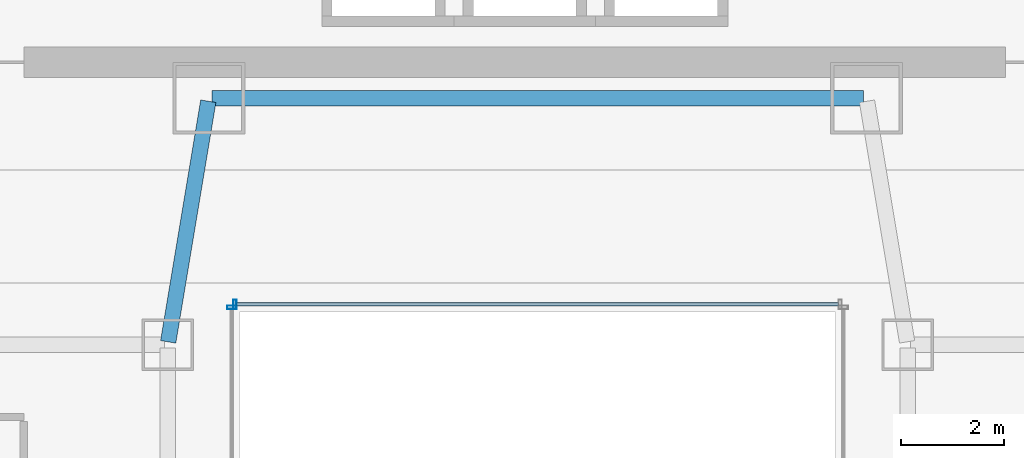
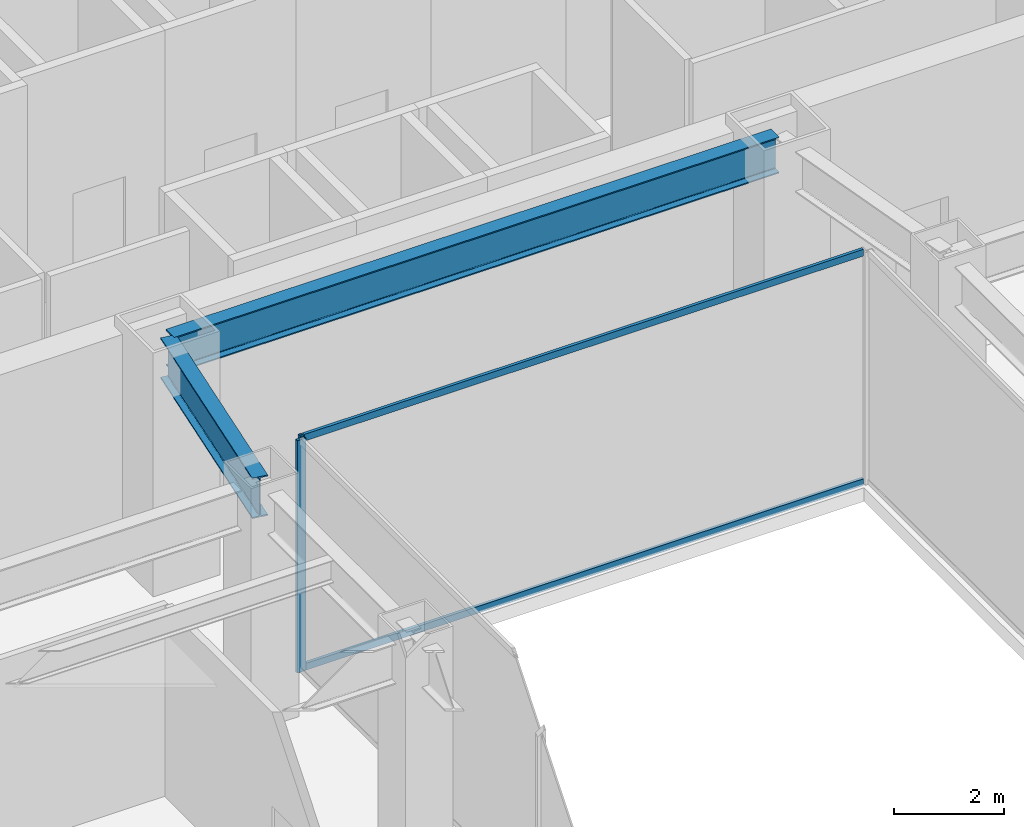
# One storey, part 24 of 53: 4 members, 2 beams, 2 elements without a shape of their own.
"""IFC4 building model written with IfcOpenShell, lengths in metres."""

import ifcopenshell
import ifcopenshell.guid

model = None  # the IFC model being written
_history = None  # IfcOwnerHistory: only IFC2X3 demands one
_inside = {}  # id of a spatial element -> (the spatial element, [elements in it])
_under = {}  # id of a project, library or spatial element -> (it, [spatial elements below it])
_declared = {}  # id of a project -> (the project, [libraries it declares])
_typed = {}  # id of a type object -> (the type object, [elements of that type])
_made_of = {}  # id of a material, layer set ... -> (it, [elements and type objects made of it])


def new_model(schema):
    """Start an empty IFC model of exactly this schema.

    Asked for "IFC4X3", IfcOpenShell would pick the latest addendum, in which some entities
    have other attributes; the version numbers below select the first issue.
    IFC2X3 requires an IfcOwnerHistory on every rooted entity: one is made here for all.
    """
    global model, _history
    if schema == "IFC4X3":
        model = ifcopenshell.file(schema_version=(4, 3, 0, 0))
    else:
        model = ifcopenshell.file(schema=schema)
    _inside.clear()
    _under.clear()
    _declared.clear()
    _typed.clear()
    _made_of.clear()
    _history = None
    if model.schema == "IFC2X3":
        org = make("IfcOrganization", Name="unknown")
        user = make(
            "IfcPersonAndOrganization",
            ThePerson=make("IfcPerson", FamilyName="unknown"),
            TheOrganization=org,
        )
        app = make(
            "IfcApplication",
            ApplicationDeveloper=org,
            Version="unknown",
            ApplicationFullName="unknown",
            ApplicationIdentifier="unknown",
        )
        _history = make(
            "IfcOwnerHistory",
            OwningUser=user,
            OwningApplication=app,
            ChangeAction="ADDED",
            CreationDate=0,
        )
    return model


def make(cls, **values):
    """One entity of the class cls with the attributes given. An attribute that is None is left unset."""
    return model.create_entity(
        cls, **{name: value for name, value in values.items() if value is not None}
    )


def rooted(cls, **values):
    """An entity with a GlobalId (a new one), such as an element, a storey or a relation."""
    return make(cls, GlobalId=ifcopenshell.guid.new(), OwnerHistory=_history, **values)


def si_unit(unit_type, name, prefix=None):
    """IfcSIUnit, for example si_unit("LENGTHUNIT", "METRE", prefix="MILLI")."""
    return make("IfcSIUnit", UnitType=unit_type, Prefix=prefix, Name=name)


def assignment(units):
    """IfcUnitAssignment: the units of a project."""
    return None if units is None else make("IfcUnitAssignment", Units=units)


def point(xyz):
    """IfcCartesianPoint."""
    return None if xyz is None else make("IfcCartesianPoint", Coordinates=xyz)


def direction(xyz):
    """IfcDirection."""
    return None if xyz is None else make("IfcDirection", DirectionRatios=xyz)


def frame(location, z_axis=None, x_axis=None):
    """IfcAxis2Placement3D, a coordinate frame: its origin and axes. An axis left out is left unset."""
    return make(
        "IfcAxis2Placement3D",
        Location=point(location),
        Axis=direction(z_axis),
        RefDirection=direction(x_axis),
    )


def frame_2d(location, x_axis=None):
    """IfcAxis2Placement2D, a coordinate frame in the plane: its origin and x axis."""
    return make(
        "IfcAxis2Placement2D", Location=point(location), RefDirection=direction(x_axis)
    )


def origin():
    """The frame at (0, 0, 0) with its axes left unset."""
    return frame((0.0, 0.0, 0.0))


def origin_2d():
    """The frame at (0, 0) in the plane with its x axis left unset."""
    return frame_2d((0.0, 0.0))


def place(relative_to, where):
    """IfcLocalPlacement: puts the frame where relative to a parent placement (None: the world)."""
    return make(
        "IfcLocalPlacement", PlacementRelTo=relative_to, RelativePlacement=where
    )


def context(
    kind, dimensions, precision=None, world=None, true_north=None, identifier=None
):
    """IfcGeometricRepresentationContext, for example the 3D "Model" context."""
    return make(
        "IfcGeometricRepresentationContext",
        ContextIdentifier=identifier,
        ContextType=kind,
        CoordinateSpaceDimension=dimensions,
        Precision=precision,
        WorldCoordinateSystem=world,
        TrueNorth=true_north,
    )


def subcontext(parent, identifier, kind, view, scale=None):
    """IfcGeometricRepresentationSubContext, for example "Body" below "Model"."""
    return make(
        "IfcGeometricRepresentationSubContext",
        ContextIdentifier=identifier,
        ContextType=kind,
        ParentContext=parent,
        TargetScale=scale,
        TargetView=view,
    )


def project(units=None, contexts=None):
    """IfcProject with its units and contexts."""
    return rooted(
        "IfcProject",
        Name="project",
        RepresentationContexts=contexts,
        UnitsInContext=assignment(units),
    )


def spatial(cls, under=None, at=None, **own):
    """A site, building, storey or space (cls), placed at a placement, below another one or the project."""
    s = rooted(cls, ObjectPlacement=at, **own)
    if under is not None:
        _under.setdefault(under.id(), (under, []))[1].append(s)
    return s


def profile(cls, at=None, kind="AREA", **sizes):
    """A parametric profile (cls). Its sizes go by their IFC names, for example OverallWidth=200.0."""
    return make(cls, ProfileType=kind, Position=at, **sizes)


def hollow_rectangle(**sizes):
    """IfcRectangleHollowProfileDef."""
    return profile("IfcRectangleHollowProfileDef", **sizes)


def i_section(**sizes):
    """IfcIShapeProfileDef."""
    return profile("IfcIShapeProfileDef", **sizes)


def extrude(swept, where, along, depth):
    """IfcExtrudedAreaSolid: the profile swept, set in the frame where, extruded along a direction by depth."""
    return make(
        "IfcExtrudedAreaSolid",
        SweptArea=swept,
        Position=where,
        ExtrudedDirection=direction(along),
        Depth=depth,
    )


def shape(context_of_items, identifier, shape_type, items):
    """IfcShapeRepresentation: the items that make up one representation, for example the "Body"."""
    return make(
        "IfcShapeRepresentation",
        ContextOfItems=context_of_items,
        RepresentationIdentifier=identifier,
        RepresentationType=shape_type,
        Items=items,
    )


def material(Name=None, Category=None):
    """IfcMaterial."""
    return make("IfcMaterial", Name=Name, Category=Category)


def material_profile(
    of_material, cross_section, Name=None, Category=None, Priority=None
):
    """IfcMaterialProfile: a cross section and its material."""
    return make(
        "IfcMaterialProfile",
        Name=Name,
        Material=of_material,
        Profile=cross_section,
        Priority=Priority,
        Category=Category,
    )


def profile_set(profiles, Name=None, composite=None):
    """IfcMaterialProfileSet."""
    return make(
        "IfcMaterialProfileSet",
        Name=Name,
        MaterialProfiles=profiles,
        CompositeProfile=composite,
    )


def made_of(thing, what):
    """Note that an element or type object is made of a material, layer set ...; save() writes the relation."""
    if what is not None:
        _made_of.setdefault(what.id(), (what, []))[1].append(thing)
    return thing


def type_object(cls, material=None, **own):
    """A type object (cls), such as IfcWallType, which elements share."""
    return made_of(rooted(cls, **own), material)


def element(
    cls,
    number,
    at=None,
    inside=None,
    cuts=None,
    type_object=None,
    material=None,
    context=None,
    identifier="Body",
    shape_type=None,
    held_by="IfcProductDefinitionShape",
    body=None,
    shapes=None,
    **own,
):
    """One element of the class cls, such as IfcWall. Its Tag is "e" and its number.

    at: its placement. inside: the storey or other place that contains it. cuts: it is an
    opening in that element (IfcRelVoidsElement). A single representation is given by context,
    identifier, shape_type and body (its items); several are given by shapes. held_by: the class
    of the entity that holds the representations. save() writes the other relations.
    """
    e = rooted(cls, Tag="e%d" % number, ObjectPlacement=at, **own)
    if body is not None:
        shapes = [shape(context, identifier, shape_type, body)]
    if shapes is not None:
        e.Representation = make(held_by, Representations=shapes)
    if inside is not None:
        _inside.setdefault(inside.id(), (inside, []))[1].append(e)
    if cuts is not None:
        rooted(
            "IfcRelVoidsElement", RelatingBuildingElement=cuts, RelatedOpeningElement=e
        )
    if type_object is not None:
        _typed.setdefault(type_object.id(), (type_object, []))[1].append(e)
    return made_of(e, material)


def aggregate(whole, parts):
    """IfcRelAggregates: a whole, such as a stair, and the parts it consists of."""
    return rooted("IfcRelAggregates", RelatingObject=whole, RelatedObjects=parts)


def save(model, path):
    """Write the relations noted so far, then the file.

    IfcRelAggregates (storeys below a building ...), IfcRelContainedInSpatialStructure (elements
    in a storey), IfcRelDefinesByType, IfcRelAssociatesMaterial and IfcRelDeclares: one each for
    every whole, place, type object, material and project.
    """
    for whole, parts in _under.values():
        aggregate(whole, parts)
    for where, things in _inside.values():
        rooted(
            "IfcRelContainedInSpatialStructure",
            RelatedElements=things,
            RelatingStructure=where,
        )
    for kind, things in _typed.values():
        rooted("IfcRelDefinesByType", RelatedObjects=things, RelatingType=kind)
    for what, things in _made_of.values():
        rooted("IfcRelAssociatesMaterial", RelatedObjects=things, RelatingMaterial=what)
    for by, libraries in _declared.values():
        rooted("IfcRelDeclares", RelatingContext=by, RelatedDefinitions=libraries)
    model.write(path)


model = new_model("IFC4")

# Units and contexts
model_context = context("Model", 3, precision=1e-05, world=origin(), true_north=direction((0.0, 1.0)))
body_context = subcontext(model_context, "Body", "Model", "MODEL_VIEW")
ifc_project = project(units=[si_unit("LENGTHUNIT", "METRE"), si_unit("AREAUNIT", "SQUARE_METRE"), si_unit("VOLUMEUNIT", "CUBIC_METRE"), si_unit("PLANEANGLEUNIT", "RADIAN"), si_unit("MASSUNIT", "GRAM", prefix="KILO")], contexts=[model_context])

# Site, building, storey
site_placement = place(None, origin())
site = spatial("IfcSite", under=ifc_project, at=site_placement, CompositionType="ELEMENT")
building_placement = place(site_placement, origin())
building = spatial("IfcBuilding", under=site, at=building_placement, Name="Saevonmaru Cultural Tower", CompositionType="ELEMENT")
storey_placement = place(building_placement, frame((0.0, 0.0, 22.199951171875)))
storey = spatial("IfcBuildingStorey", under=building, at=storey_placement, Name="L04", CompositionType="ELEMENT", Elevation=22.199951171875)

# Beams
ifc_material_1 = material(Name="Steel SM420", Category="steel")
ifc_material_profile_1 = material_profile(ifc_material_1, i_section(OverallWidth=0.300048828125, OverallDepth=0.800048828125, WebThickness=0.013916015625, FlangeThickness=0.02587890625, FilletRadius=0.028076171875, at=origin_2d()), Name="H-800x300x14x26")
ifc_profile_set_1 = profile_set([ifc_material_profile_1], Name="Steel SM420")
beam_type_1 = type_object("IfcBeamType", Name="BM-G-H800", PredefinedType="BEAM", material=ifc_profile_set_1)
beam_1_placement = place(storey_placement, frame((23.659912109375, 42.39990234375, 4.75), z_axis=(1.0, 0.0, 0.0), x_axis=(0.0, 1.0, 0.0)))
element("IfcBeam", 1, at=beam_1_placement, inside=storey, type_object=beam_type_1, Name="L04 Core South Girder 3", PredefinedType="BEAM", context=body_context, shape_type="SweptSolid", body=[
    extrude(i_section(OverallWidth=0.300048828125, OverallDepth=0.800048828125, WebThickness=0.013916015625, FlangeThickness=0.02587890625, FilletRadius=0.028076171875, at=origin_2d()), origin(), (0.0, 0.0, 1.0), 12.68017578125),
])
ifc_material_profile_2 = material_profile(ifc_material_1, i_section(OverallWidth=0.300048828125, OverallDepth=0.89990234375, WebThickness=0.01611328125, FlangeThickness=0.028076171875, FilletRadius=0.028076171875, at=origin_2d()), Name="H-900x300x16x28")
ifc_profile_set_2 = profile_set([ifc_material_profile_2], Name="Steel SM420")
beam_type_2 = type_object("IfcBeamType", Name="BM-G-H900", PredefinedType="BEAM", material=ifc_profile_set_2)
beam_2_placement = place(storey_placement, frame((22.809814453125, 37.6591796875, 4.699951171875), z_axis=(0.164398987305, 0.986393923832, 0.0), x_axis=(-0.986393923832, 0.164398987305, 0.0)))
element("IfcBeam", 2, at=beam_2_placement, inside=storey, type_object=beam_type_2, Name="L04 Podium Girder NS2-6", PredefinedType="BEAM", context=body_context, shape_type="SweptSolid", body=[
    extrude(i_section(OverallWidth=0.300048828125, OverallDepth=0.89990234375, WebThickness=0.01611328125, FlangeThickness=0.028076171875, FilletRadius=0.028076171875, at=origin_2d()), origin(), (0.0, 0.0, 1.0), 4.746337890625),
])

# Curtain wall, member
ifc_material_2 = material(Name="Satin Bronze Anodised Aluminium", Category="aluminium")
curtain_wall_type = type_object("IfcCurtainWallType", Name="CW-ATR-GLZ", PredefinedType="NOTDEFINED", material=ifc_material_2)
curtain_wall_1_placement = place(storey_placement, origin())
curtain_wall_1 = element("IfcCurtainWall", 3, at=curtain_wall_1_placement, inside=storey, type_object=curtain_wall_type, Name="L04 Vertical Atrium Glazed Smoke Screen 3", PredefinedType="NOTDEFINED")
ifc_material_profile_3 = material_profile(ifc_material_2, hollow_rectangle(XDim=0.06494140625, YDim=0.179931640625, WallThickness=0.00390625, at=origin_2d()), Name="ALU-MULL-180x65x4")
ifc_profile_set_3 = profile_set([ifc_material_profile_3], Name="Satin Bronze Anodised Aluminium")
member_type_1 = type_object("IfcMemberType", Name="ML-CW-INT-180x65", PredefinedType="MULLION", material=ifc_profile_set_3)
member_1_placement = place(storey_placement, frame((24.110107421875, 38.389892578125, 0.0), z_axis=(0.0, 0.0, 1.0), x_axis=(-1.0, 0.0, 0.0)))
member_1 = element("IfcMember", 4, at=member_1_placement, type_object=member_type_1, Name="CW-ATR-L04-3 mullion 2", PredefinedType="MULLION", context=body_context, shape_type="SweptSolid", body=[
    extrude(hollow_rectangle(XDim=0.06494140625, YDim=0.179931640625, WallThickness=0.00390625, at=origin_2d()), origin(), (0.0, 0.0, 1.0), 5.150146484375),
])

curtain_wall_2_placement = place(storey_placement, origin())
curtain_wall_2 = element("IfcCurtainWall", 5, at=curtain_wall_2_placement, inside=storey, type_object=curtain_wall_type, Name="L04 Vertical Atrium Glazed Smoke Screen 4", PredefinedType="NOTDEFINED")
member_2_placement = place(storey_placement, frame((24.050048828125, 38.330078125, 0.0), z_axis=(0.0, 0.0, 1.0), x_axis=(0.0, -1.0, 0.0)))
member_2 = element("IfcMember", 6, at=member_2_placement, type_object=member_type_1, Name="CW-ATR-L04-4 mullion 1", PredefinedType="MULLION", context=body_context, shape_type="SweptSolid", body=[
    extrude(hollow_rectangle(XDim=0.06494140625, YDim=0.179931640625, WallThickness=0.00390625, at=origin_2d()), origin(), (0.0, 0.0, 1.0), 5.150146484375),
])
aggregate(curtain_wall_2, [member_2])

# Member
ifc_material_profile_4 = material_profile(ifc_material_2, hollow_rectangle(XDim=0.06494140625, YDim=0.14990234375, WallThickness=0.00390625, at=origin_2d()), Name="ALU-TRAN-150x65x4")
ifc_profile_set_4 = profile_set([ifc_material_profile_4], Name="Satin Bronze Anodised Aluminium")
member_type_2 = type_object("IfcMemberType", Name="TR-CW-INT-150x65", PredefinedType="USERDEFINED", material=ifc_profile_set_4)
member_3_placement = place(storey_placement, frame((35.857421875, 38.389892578125, 0.032470703125), z_axis=(-1.0, 0.0, 0.0), x_axis=(0.0, -1.0, 0.0)))
member_3 = element("IfcMember", 7, at=member_3_placement, type_object=member_type_2, Name="CW-ATR-L04-3 transom 1.1", ObjectType="TRANSOM", PredefinedType="USERDEFINED", context=body_context, shape_type="SweptSolid", body=[
    extrude(hollow_rectangle(XDim=0.06494140625, YDim=0.14990234375, WallThickness=0.00390625, at=origin_2d()), origin(), (0.0, 0.0, 1.0), 11.71484375),
])

member_4_placement = place(storey_placement, frame((35.857421875, 38.389892578125, 5.117431640625), z_axis=(-1.0, 0.0, 0.0), x_axis=(0.0, -1.0, 0.0)))
member_4 = element("IfcMember", 8, at=member_4_placement, type_object=member_type_2, Name="CW-ATR-L04-3 transom 1.2", ObjectType="TRANSOM", PredefinedType="USERDEFINED", context=body_context, shape_type="SweptSolid", body=[
    extrude(hollow_rectangle(XDim=0.06494140625, YDim=0.14990234375, WallThickness=0.00390625, at=origin_2d()), origin(), (0.0, 0.0, 1.0), 11.71484375),
])

aggregate(curtain_wall_1, [member_1, member_3, member_4])

save(model, "model.ifc")
